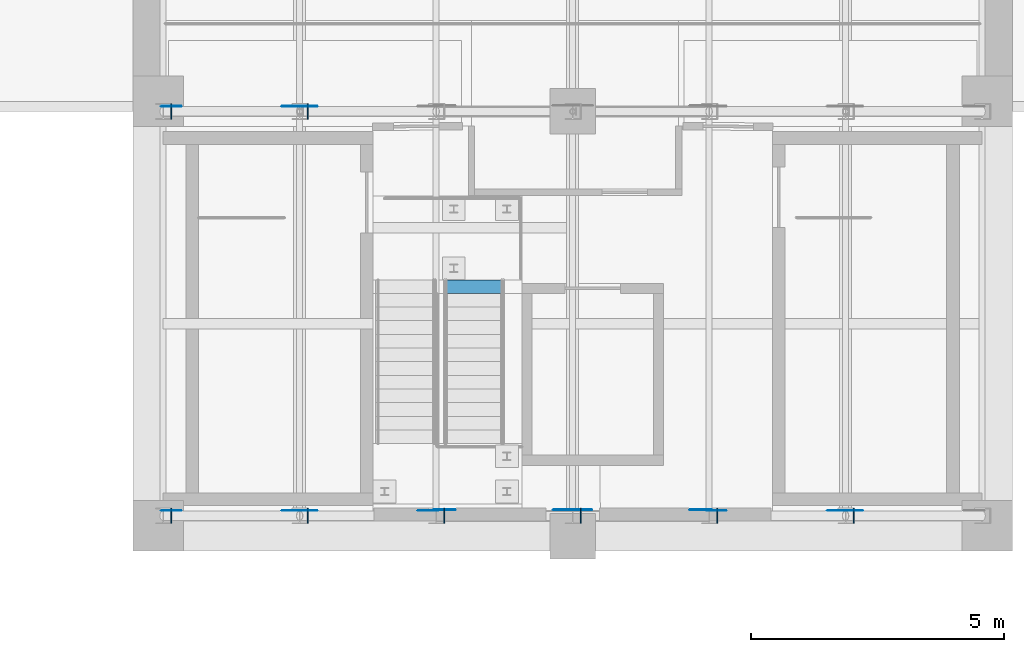
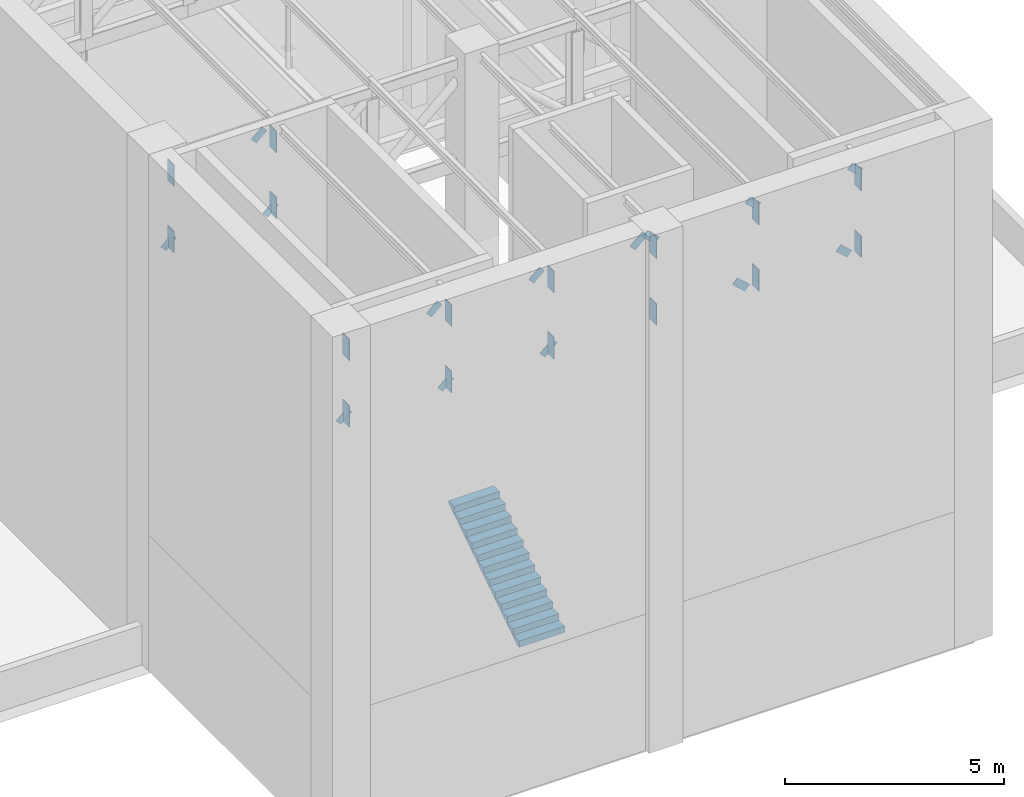
# One storey, part 39 of 68: 30 discrete accessories, 1 stair flight, 1 element without a shape of its own.
"""IFC4 building model written with IfcOpenShell, lengths in metres."""

from ifc_helpers import new_model, si_unit, direction, frame, origin, origin_2d, place, context, subcontext, project, spatial, polyline, rectangle, outline, extrude, material, material_profile, profile_set, type_object, element, aggregate, save


model = new_model("IFC4")

# Units and contexts
model_context = context("Model", 3, precision=1e-05, world=origin(), true_north=direction((0.0, 1.0)))
body_context = subcontext(model_context, "Body", "Model", "MODEL_VIEW")
ifc_project = project(units=[si_unit("LENGTHUNIT", "METRE"), si_unit("AREAUNIT", "SQUARE_METRE"), si_unit("VOLUMEUNIT", "CUBIC_METRE"), si_unit("PLANEANGLEUNIT", "RADIAN"), si_unit("MASSUNIT", "GRAM", prefix="KILO")], contexts=[model_context])

# Site, building, storey
site_placement = place(None, origin())
site = spatial("IfcSite", under=ifc_project, at=site_placement, CompositionType="ELEMENT")
building_placement = place(site_placement, origin())
building = spatial("IfcBuilding", under=site, at=building_placement, Name="Larchfold Concert Hall", CompositionType="ELEMENT")
storey_placement = place(building_placement, frame((0.0, 0.0, 28.800048828125)))
storey = spatial("IfcBuildingStorey", under=building, at=storey_placement, Name="L06", CompositionType="ELEMENT", Elevation=28.800048828125)

# Stair, stair flight
ifc_material_1 = material(Name="Steel S355", Category="steel")
stair_type = type_object("IfcStairType", Name="Stair steel service", PredefinedType="HALF_TURN_STAIR", material=ifc_material_1)
stair_placement = place(storey_placement, origin())
stair = element("IfcStair", 1, at=stair_placement, inside=storey, type_object=stair_type, Name="Stair SV01", PredefinedType="HALF_TURN_STAIR")
ifc_material_2 = material(Name="Steel S355", Category="steel")
stair_flight_type = type_object("IfcStairFlightType", Name="Stair flight steel 1200 x 177.6", PredefinedType="STRAIGHT", material=ifc_material_2)
stair_flight_placement = place(storey_placement, frame((40.64990234375, 36.030029296875, 2.309326171875), z_axis=(0.0, 0.0, 1.0), x_axis=(0.0, 1.0, 0.0)))
stair_flight = element("IfcStairFlight", 2, at=stair_flight_placement, type_object=stair_flight_type, Name="SV01 flight 2", NumberOfRisers=13, NumberOfTreads=12, PredefinedType="STRAIGHT", RiserHeight=0.177647059, TreadLength=0.27, context=body_context, shape_type="SweptSolid", body=[
    extrude(outline(polyline([(0.0, 0.0), (0.0, 0.177734375), (0.27001953125, 0.177734375), (0.27001953125, 0.355224609375), (0.5400390625, 0.355224609375), (0.5400390625, 0.532958984375), (0.81005859375, 0.532958984375), (0.81005859375, 0.710693359375), (1.080078125, 0.710693359375), (1.080078125, 0.88818359375), (1.35009765625, 0.88818359375), (1.35009765625, 1.06591796875), (1.6201171875, 1.06591796875), (1.6201171875, 1.243408203125), (1.889892578125, 1.243408203125), (1.889892578125, 1.421142578125), (2.159912109375, 1.421142578125), (2.159912109375, 1.598876953125), (2.429931640625, 1.598876953125), (2.429931640625, 1.7763671875), (2.699951171875, 1.7763671875), (2.699951171875, 1.9541015625), (2.969970703125, 1.9541015625), (2.969970703125, 2.1318359375), (3.239990234375, 2.1318359375), (3.239990234375, 2.309326171875), (3.239990234375, 2.07177734375), (0.091064453125, 0.0), (0.0, 0.0)])), frame((0.0, 0.60009765625, 0.0), z_axis=(0.0, -1.0, 0.0), x_axis=(1.0, 0.0, 0.0)), (0.0, 0.0, 1.0), 1.199951171875),
])
aggregate(stair, [stair_flight])

# Discrete accessories
ifc_material_3 = material(Name="Steel S355 galvanised bracket", Category="steel")
ifc_material_profile_1 = material_profile(ifc_material_3, rectangle(XDim=0.011962890625, YDim=0.199951171875, at=origin_2d()))
ifc_profile_set_1 = profile_set([ifc_material_profile_1], Name="Steel S355 galvanised bracket")
discrete_accessory_type_1 = type_object("IfcDiscreteAccessoryType", Name="Gusset plate 12x200", PredefinedType="BRACKET", material=ifc_profile_set_1)
for number, where, z_axis, x_axis, name in (
    (3, (34.514892578125, 34.702880859375, 11.3134765625), (0.740624199034, 0.0, 0.671919486103), (0.0, 1.0, 0.0), "Gusset plate GP0673"),
    (4, (36.898193359375, 34.702880859375, 13.476318359375), (0.740624199034, 0.0, 0.671919486103), (0.0, 1.0, 0.0), "Gusset plate GP0674"),
    (5, (37.199951171875, 34.702880859375, 11.300048828125), (0.740624199034, 0.0, 0.671919486103), (0.0, 1.0, 0.0), "Gusset plate GP0675"),
    (6, (39.59814453125, 34.702880859375, 13.476318359375), (0.740624199034, 0.0, 0.671919486103), (0.0, 1.0, 0.0), "Gusset plate GP0676"),
    (7, (45.300048828125, 34.702880859375, 13.75), (0.740624199034, 0.0, -0.671919486103), (0.0, 1.0, 0.0), "Gusset plate GP0681"),
    (8, (47.6982421875, 34.702880859375, 11.57373046875), (0.740624199034, 0.0, -0.671919486103), (0.0, 1.0, 0.0), "Gusset plate GP0682"),
    (9, (48.0, 34.702880859375, 13.75), (0.740624199034, 0.0, -0.671919486103), (0.0, 1.0, 0.0), "Gusset plate GP0683"),
    (10, (34.514892578125, 42.702880859375, 11.3134765625), (0.740624199034, 0.0, 0.671919486103), (0.0, 1.0, 0.0), "Gusset plate GP0699"),
    (11, (36.898193359375, 42.702880859375, 13.476318359375), (0.740624199034, 0.0, 0.671919486103), (0.0, 1.0, 0.0), "Gusset plate GP0700"),
    (12, (37.199951171875, 42.702880859375, 11.300048828125), (0.740624199034, 0.0, 0.671919486103), (0.0, 1.0, 0.0), "Gusset plate GP0701"),
):
    element("IfcDiscreteAccessory", number, at=place(storey_placement, frame(where, z_axis=z_axis, x_axis=x_axis)), inside=storey, type_object=discrete_accessory_type_1, Name=name, PredefinedType="BRACKET", context=body_context, shape_type="SweptSolid", body=[
        extrude(rectangle(XDim=0.011962890625, YDim=0.199951171875, at=origin_2d()), origin(), (0.0, 0.0, 1.0), 0.38720703125),
    ])
ifc_material_4 = material(Name="Steel S355 galvanised bracket", Category="steel")
ifc_material_profile_2 = material_profile(ifc_material_4, rectangle(XDim=0.01611328125, YDim=0.199951171875, at=origin_2d()))
ifc_profile_set_2 = profile_set([ifc_material_profile_2], Name="Steel S355 galvanised bracket")
discrete_accessory_type_2 = type_object("IfcDiscreteAccessoryType", Name="Gusset plate 16x200", PredefinedType="BRACKET", material=ifc_profile_set_2)
for number, where, z_axis, x_axis, name in (
    (13, (39.89990234375, 34.717529296875, 11.300048828125), (0.740544899397, 0.0, 0.672006883877), (0.0, 1.0, 0.0), "Gusset plate GP0677"),
    (14, (42.275634765625, 34.717529296875, 13.45556640625), (0.740544899397, 0.0, 0.672006883877), (0.0, 1.0, 0.0), "Gusset plate GP0678"),
    (15, (42.60009765625, 34.717529296875, 13.75), (0.740544899397, 0.0, -0.672006883877), (0.0, 1.0, 0.0), "Gusset plate GP0679"),
    (16, (44.9755859375, 34.717529296875, 11.594482421875), (0.740544899397, 0.0, -0.672006883877), (0.0, 1.0, 0.0), "Gusset plate GP0680"),
):
    element("IfcDiscreteAccessory", number, at=place(storey_placement, frame(where, z_axis=z_axis, x_axis=x_axis)), inside=storey, type_object=discrete_accessory_type_2, Name=name, PredefinedType="BRACKET", context=body_context, shape_type="SweptSolid", body=[
        extrude(rectangle(XDim=0.01611328125, YDim=0.199951171875, at=origin_2d()), origin(), (0.0, 0.0, 1.0), 0.438232421875),
    ])
ifc_material_5 = material(Name="Steel S355 galvanised bracket", Category="steel")
ifc_material_profile_3 = material_profile(ifc_material_5, rectangle(XDim=0.02001953125, YDim=0.300048828125, at=origin_2d()))
ifc_profile_set_3 = profile_set([ifc_material_profile_3], Name="Steel S355 galvanised bracket")
discrete_accessory_type_3 = type_object("IfcDiscreteAccessoryType", Name="Gusset plate 20x300", PredefinedType="BRACKET", material=ifc_profile_set_3)
for number, where, z_axis, x_axis, name in (
    (17, (34.659912109375, 34.60009765625, 11.300048828125), (0.0, 0.0, 1.0), (1.0, 0.0, 0.0), "Gusset plate GP0659"),
    (18, (34.659912109375, 34.60009765625, 13.14990234375), (0.0, 0.0, 1.0), (1.0, 0.0, 0.0), "Gusset plate GP0660"),
    (19, (37.35986328125, 34.60009765625, 11.300048828125), (0.0, 0.0, 1.0), (1.0, 0.0, 0.0), "Gusset plate GP0661"),
    (20, (37.35986328125, 34.60009765625, 13.14990234375), (0.0, 0.0, 1.0), (1.0, 0.0, 0.0), "Gusset plate GP0662"),
    (21, (40.059814453125, 34.60009765625, 11.300048828125), (0.0, 0.0, 1.0), (1.0, 0.0, 0.0), "Gusset plate GP0663"),
    (22, (40.059814453125, 34.60009765625, 13.14990234375), (0.0, 0.0, 1.0), (1.0, 0.0, 0.0), "Gusset plate GP0664"),
    (23, (42.760009765625, 34.60009765625, 11.300048828125), (0.0, 0.0, 1.0), (1.0, 0.0, 0.0), "Gusset plate GP0665"),
    (24, (42.760009765625, 34.60009765625, 13.14990234375), (0.0, 0.0, 1.0), (1.0, 0.0, 0.0), "Gusset plate GP0666"),
    (25, (45.4599609375, 34.60009765625, 11.300048828125), (0.0, 0.0, 1.0), (1.0, 0.0, 0.0), "Gusset plate GP0667"),
    (26, (45.4599609375, 34.60009765625, 13.14990234375), (0.0, 0.0, 1.0), (1.0, 0.0, 0.0), "Gusset plate GP0668"),
    (27, (48.159912109375, 34.60009765625, 11.300048828125), (0.0, 0.0, 1.0), (1.0, 0.0, 0.0), "Gusset plate GP0669"),
    (28, (48.159912109375, 34.60009765625, 13.14990234375), (0.0, 0.0, 1.0), (1.0, 0.0, 0.0), "Gusset plate GP0670"),
    (29, (34.659912109375, 42.60009765625, 11.300048828125), (0.0, 0.0, 1.0), (1.0, 0.0, 0.0), "Gusset plate GP0685"),
    (30, (34.659912109375, 42.60009765625, 13.14990234375), (0.0, 0.0, 1.0), (1.0, 0.0, 0.0), "Gusset plate GP0686"),
    (31, (37.35986328125, 42.60009765625, 11.300048828125), (0.0, 0.0, 1.0), (1.0, 0.0, 0.0), "Gusset plate GP0687"),
    (32, (37.35986328125, 42.60009765625, 13.14990234375), (0.0, 0.0, 1.0), (1.0, 0.0, 0.0), "Gusset plate GP0688"),
):
    element("IfcDiscreteAccessory", number, at=place(storey_placement, frame(where, z_axis=z_axis, x_axis=x_axis)), inside=storey, type_object=discrete_accessory_type_3, Name=name, PredefinedType="BRACKET", context=body_context, shape_type="SweptSolid", body=[
        extrude(rectangle(XDim=0.02001953125, YDim=0.300048828125, at=origin_2d()), origin(), (0.0, 0.0, 1.0), 0.60009765625),
    ])

save(model, "model.ifc")
